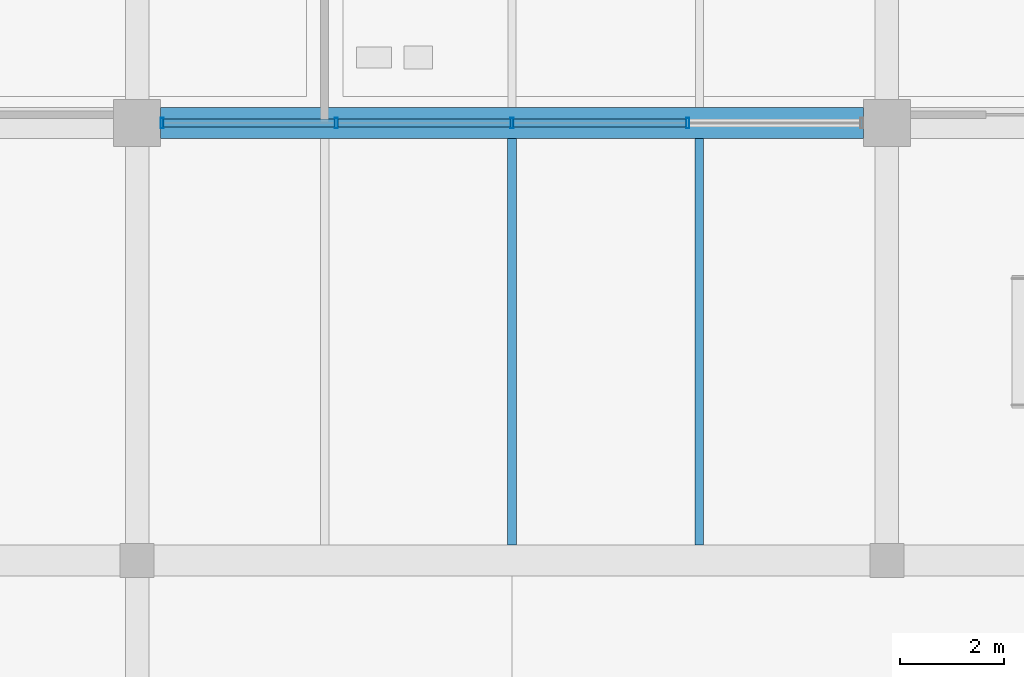
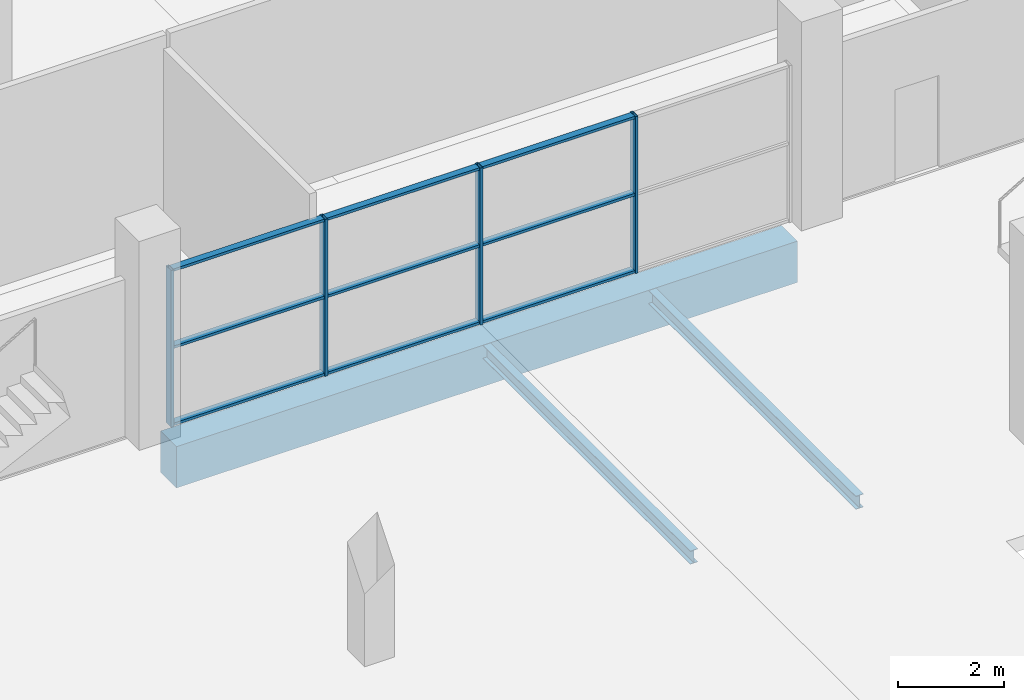
# One storey, part 49 of 130: 13 members, 3 beams, 1 element without a shape of its own.
"""IFC4 building model written with IfcOpenShell, lengths in metres."""

from ifc_helpers import new_model, si_unit, direction, frame, origin, origin_2d, place, context, subcontext, project, spatial, rectangle, hollow_rectangle, i_section, extrude, material, material_profile, profile_set, type_object, element, aggregate, save


model = new_model("IFC4")

# Units and contexts
model_context = context("Model", 3, precision=1e-05, world=origin(), true_north=direction((0.0, 1.0)))
body_context = subcontext(model_context, "Body", "Model", "MODEL_VIEW")
ifc_project = project(units=[si_unit("LENGTHUNIT", "METRE"), si_unit("AREAUNIT", "SQUARE_METRE"), si_unit("VOLUMEUNIT", "CUBIC_METRE"), si_unit("PLANEANGLEUNIT", "RADIAN"), si_unit("MASSUNIT", "GRAM", prefix="KILO"), si_unit("THERMODYNAMICTEMPERATUREUNIT", "KELVIN")], contexts=[model_context])

# Site, building, storey
site_placement = place(None, origin())
site = spatial("IfcSite", under=ifc_project, at=site_placement, CompositionType="ELEMENT")
building_placement = place(site_placement, origin())
building = spatial("IfcBuilding", under=site, at=building_placement, Name="Nduvali Passage Aquatics Centre", CompositionType="ELEMENT")
storey_placement = place(building_placement, origin())
storey = spatial("IfcBuildingStorey", under=building, at=storey_placement, Name="L00", CompositionType="ELEMENT", Elevation=0.0)

# Curtain wall, members
ifc_material_1 = material(Name="Aluminium EN AW-6063 T6", Category="aluminium")
curtain_wall_type = type_object("IfcCurtainWallType", Name="ENV-CW-HALL", PredefinedType="NOTDEFINED", material=ifc_material_1)
curtain_wall_placement = place(storey_placement, origin())
curtain_wall = element("IfcCurtainWall", 1, at=curtain_wall_placement, inside=storey, type_object=curtain_wall_type, Name="L00 North Pool Hall Hydro-Pool Screen 063", PredefinedType="NOTDEFINED")
ifc_material_profile_1 = material_profile(ifc_material_1, hollow_rectangle(XDim=0.06005859375, YDim=0.199951171875, WallThickness=0.00390625, at=origin_2d()), Name="ALU MULLION 60x200x4")
ifc_profile_set_1 = profile_set([ifc_material_profile_1], Name="Aluminium EN AW-6063 T6")
member_type_1 = type_object("IfcMemberType", Name="ENV-MEM-MUL80", PredefinedType="MULLION", material=ifc_profile_set_1)
member_1_placement = place(storey_placement, frame((83.280029296875, 92.39990234375, 0.0), z_axis=(0.0, 0.0, 1.0), x_axis=(1.0, 0.0, 0.0)))
member_1 = element("IfcMember", 2, at=member_1_placement, type_object=member_type_1, Name="North Pool Hall Hydro-Pool Screen Mullion 1", PredefinedType="MULLION", context=body_context, shape_type="SweptSolid", body=[
    extrude(hollow_rectangle(XDim=0.06005859375, YDim=0.199951171875, WallThickness=0.00390625, at=origin_2d()), origin(), (0.0, 0.0, 1.0), 3.605712890625),
])
member_2_placement = place(storey_placement, frame((86.625, 92.39990234375, 0.0), z_axis=(0.0, 0.0, 1.0), x_axis=(1.0, 0.0, 0.0)))
member_2 = element("IfcMember", 3, at=member_2_placement, type_object=member_type_1, Name="North Pool Hall Hydro-Pool Screen Mullion 2", PredefinedType="MULLION", context=body_context, shape_type="SweptSolid", body=[
    extrude(hollow_rectangle(XDim=0.06005859375, YDim=0.199951171875, WallThickness=0.00390625, at=origin_2d()), origin(), (0.0, 0.0, 1.0), 3.605712890625),
])
member_3_placement = place(storey_placement, frame((90.0, 92.39990234375, 0.0), z_axis=(0.0, 0.0, 1.0), x_axis=(1.0, 0.0, 0.0)))
member_3 = element("IfcMember", 4, at=member_3_placement, type_object=member_type_1, Name="North Pool Hall Hydro-Pool Screen Mullion 3", PredefinedType="MULLION", context=body_context, shape_type="SweptSolid", body=[
    extrude(hollow_rectangle(XDim=0.06005859375, YDim=0.199951171875, WallThickness=0.00390625, at=origin_2d()), origin(), (0.0, 0.0, 1.0), 3.605712890625),
])
member_4_placement = place(storey_placement, frame((93.375, 92.39990234375, 0.0), z_axis=(0.0, 0.0, 1.0), x_axis=(1.0, 0.0, 0.0)))
member_4 = element("IfcMember", 5, at=member_4_placement, type_object=member_type_1, Name="North Pool Hall Hydro-Pool Screen Mullion 4", PredefinedType="MULLION", context=body_context, shape_type="SweptSolid", body=[
    extrude(hollow_rectangle(XDim=0.06005859375, YDim=0.199951171875, WallThickness=0.00390625, at=origin_2d()), origin(), (0.0, 0.0, 1.0), 3.605712890625),
])
ifc_material_profile_2 = material_profile(ifc_material_1, hollow_rectangle(XDim=0.14990234375, YDim=0.06005859375, WallThickness=0.00390625, at=origin_2d()), Name="ALU TRANSOM 150x60x4")
ifc_profile_set_2 = profile_set([ifc_material_profile_2], Name="Aluminium EN AW-6063 T6")
member_type_2 = type_object("IfcMemberType", Name="ENV-MEM-TRN80", PredefinedType="USERDEFINED", material=ifc_profile_set_2)
member_5_placement = place(storey_placement, frame((83.31005859375, 92.39990234375, 0.030029296875), z_axis=(1.0, 0.0, 0.0), x_axis=(0.0, 1.0, 0.0)))
member_5 = element("IfcMember", 6, at=member_5_placement, type_object=member_type_2, Name="North Pool Hall Hydro-Pool Screen Transom B1-R0", ObjectType="TRANSOM", PredefinedType="USERDEFINED", context=body_context, shape_type="SweptSolid", body=[
    extrude(hollow_rectangle(XDim=0.14990234375, YDim=0.06005859375, WallThickness=0.00390625, at=origin_2d()), origin(), (0.0, 0.0, 1.0), 3.284912109375),
])
member_6_placement = place(storey_placement, frame((83.31005859375, 92.39990234375, 1.802734375), z_axis=(1.0, 0.0, 0.0), x_axis=(0.0, 1.0, 0.0)))
member_6 = element("IfcMember", 7, at=member_6_placement, type_object=member_type_2, Name="North Pool Hall Hydro-Pool Screen Transom B1-R1", ObjectType="TRANSOM", PredefinedType="USERDEFINED", context=body_context, shape_type="SweptSolid", body=[
    extrude(hollow_rectangle(XDim=0.14990234375, YDim=0.06005859375, WallThickness=0.00390625, at=origin_2d()), origin(), (0.0, 0.0, 1.0), 3.284912109375),
])
member_7_placement = place(storey_placement, frame((83.31005859375, 92.39990234375, 3.57568359375), z_axis=(1.0, 0.0, 0.0), x_axis=(0.0, 1.0, 0.0)))
member_7 = element("IfcMember", 8, at=member_7_placement, type_object=member_type_2, Name="North Pool Hall Hydro-Pool Screen Transom B1-R2", ObjectType="TRANSOM", PredefinedType="USERDEFINED", context=body_context, shape_type="SweptSolid", body=[
    extrude(hollow_rectangle(XDim=0.14990234375, YDim=0.06005859375, WallThickness=0.00390625, at=origin_2d()), origin(), (0.0, 0.0, 1.0), 3.284912109375),
])
member_8_placement = place(storey_placement, frame((86.655029296875, 92.39990234375, 0.030029296875), z_axis=(1.0, 0.0, 0.0), x_axis=(0.0, 1.0, 0.0)))
member_8 = element("IfcMember", 9, at=member_8_placement, type_object=member_type_2, Name="North Pool Hall Hydro-Pool Screen Transom B2-R0", ObjectType="TRANSOM", PredefinedType="USERDEFINED", context=body_context, shape_type="SweptSolid", body=[
    extrude(hollow_rectangle(XDim=0.14990234375, YDim=0.06005859375, WallThickness=0.00390625, at=origin_2d()), origin(), (0.0, 0.0, 1.0), 3.31494140625),
])
member_9_placement = place(storey_placement, frame((86.655029296875, 92.39990234375, 1.802734375), z_axis=(1.0, 0.0, 0.0), x_axis=(0.0, 1.0, 0.0)))
member_9 = element("IfcMember", 10, at=member_9_placement, type_object=member_type_2, Name="North Pool Hall Hydro-Pool Screen Transom B2-R1", ObjectType="TRANSOM", PredefinedType="USERDEFINED", context=body_context, shape_type="SweptSolid", body=[
    extrude(hollow_rectangle(XDim=0.14990234375, YDim=0.06005859375, WallThickness=0.00390625, at=origin_2d()), origin(), (0.0, 0.0, 1.0), 3.31494140625),
])
member_10_placement = place(storey_placement, frame((86.655029296875, 92.39990234375, 3.57568359375), z_axis=(1.0, 0.0, 0.0), x_axis=(0.0, 1.0, 0.0)))
member_10 = element("IfcMember", 11, at=member_10_placement, type_object=member_type_2, Name="North Pool Hall Hydro-Pool Screen Transom B2-R2", ObjectType="TRANSOM", PredefinedType="USERDEFINED", context=body_context, shape_type="SweptSolid", body=[
    extrude(hollow_rectangle(XDim=0.14990234375, YDim=0.06005859375, WallThickness=0.00390625, at=origin_2d()), origin(), (0.0, 0.0, 1.0), 3.31494140625),
])
member_11_placement = place(storey_placement, frame((90.030029296875, 92.39990234375, 0.030029296875), z_axis=(1.0, 0.0, 0.0), x_axis=(0.0, 1.0, 0.0)))
member_11 = element("IfcMember", 12, at=member_11_placement, type_object=member_type_2, Name="North Pool Hall Hydro-Pool Screen Transom B3-R0", ObjectType="TRANSOM", PredefinedType="USERDEFINED", context=body_context, shape_type="SweptSolid", body=[
    extrude(hollow_rectangle(XDim=0.14990234375, YDim=0.06005859375, WallThickness=0.00390625, at=origin_2d()), origin(), (0.0, 0.0, 1.0), 3.31494140625),
])
member_12_placement = place(storey_placement, frame((90.030029296875, 92.39990234375, 1.802734375), z_axis=(1.0, 0.0, 0.0), x_axis=(0.0, 1.0, 0.0)))
member_12 = element("IfcMember", 13, at=member_12_placement, type_object=member_type_2, Name="North Pool Hall Hydro-Pool Screen Transom B3-R1", ObjectType="TRANSOM", PredefinedType="USERDEFINED", context=body_context, shape_type="SweptSolid", body=[
    extrude(hollow_rectangle(XDim=0.14990234375, YDim=0.06005859375, WallThickness=0.00390625, at=origin_2d()), origin(), (0.0, 0.0, 1.0), 3.31494140625),
])
member_13_placement = place(storey_placement, frame((90.030029296875, 92.39990234375, 3.57568359375), z_axis=(1.0, 0.0, 0.0), x_axis=(0.0, 1.0, 0.0)))
member_13 = element("IfcMember", 14, at=member_13_placement, type_object=member_type_2, Name="North Pool Hall Hydro-Pool Screen Transom B3-R2", ObjectType="TRANSOM", PredefinedType="USERDEFINED", context=body_context, shape_type="SweptSolid", body=[
    extrude(hollow_rectangle(XDim=0.14990234375, YDim=0.06005859375, WallThickness=0.00390625, at=origin_2d()), origin(), (0.0, 0.0, 1.0), 3.31494140625),
])
aggregate(curtain_wall, [member_1, member_2, member_3, member_4, member_5, member_6, member_7, member_8, member_9, member_10, member_11, member_12, member_13])

# Beams
ifc_material_2 = material(Name="Concrete C40/50", Category="concrete")
ifc_material_profile_3 = material_profile(ifc_material_2, rectangle(XDim=0.60009765625, YDim=0.949951171875, at=origin_2d()), Name="RC 600x950")
ifc_profile_set_3 = profile_set([ifc_material_profile_3], Name="Concrete C40/50")
beam_type_1 = type_object("IfcBeamType", Name="STR-BM-RC6095-EXT", PredefinedType="BEAM", material=ifc_profile_set_3)
beam_placement = place(storey_placement, frame((83.25, 92.39990234375, -0.794921875), z_axis=(1.0, 0.0, 0.0), x_axis=(0.0, 1.0, 0.0)))
element("IfcBeam", 15, at=beam_placement, inside=storey, type_object=beam_type_1, Name="L00 Primary X-Girder B1E-0089", PredefinedType="BEAM", context=body_context, shape_type="SweptSolid", body=[
    extrude(rectangle(XDim=0.60009765625, YDim=0.949951171875, at=origin_2d()), origin(), (0.0, 0.0, 1.0), 13.5),
])
ifc_material_3 = material(Name="Steel S355", Category="steel")
ifc_material_profile_4 = material_profile(ifc_material_3, i_section(OverallWidth=0.165771484375, OverallDepth=0.306640625, WebThickness=0.006591796875, FlangeThickness=0.01171875, FilletRadius=0.0087890625, at=origin_2d()), Name="UKB 305x165x46")
ifc_profile_set_4 = profile_set([ifc_material_profile_4], Name="Steel S355")
beam_type_2 = type_object("IfcBeamType", Name="STR-JST-UKB305", PredefinedType="JOIST", material=ifc_profile_set_4)
for number, where, z_axis, x_axis, name in (
    (16, (90.0, 84.300048828125, -0.477294921875), (0.0, 1.0, 0.0), (-1.0, 0.0, 0.0), "L00 Secondary Joist J3-0386"),
    (17, (93.60009765625, 84.300048828125, -0.477294921875), (0.0, 1.0, 0.0), (-1.0, 0.0, 0.0), "L00 Secondary Joist J3-0387"),
):
    element("IfcBeam", number, at=place(storey_placement, frame(where, z_axis=z_axis, x_axis=x_axis)), inside=storey, type_object=beam_type_2, Name=name, PredefinedType="JOIST", context=body_context, shape_type="SweptSolid", body=[
        extrude(i_section(OverallWidth=0.165771484375, OverallDepth=0.306640625, WebThickness=0.006591796875, FlangeThickness=0.01171875, FilletRadius=0.0087890625, at=origin_2d()), origin(), (0.0, 0.0, 1.0), 7.800048828125),
    ])

save(model, "model.ifc")
